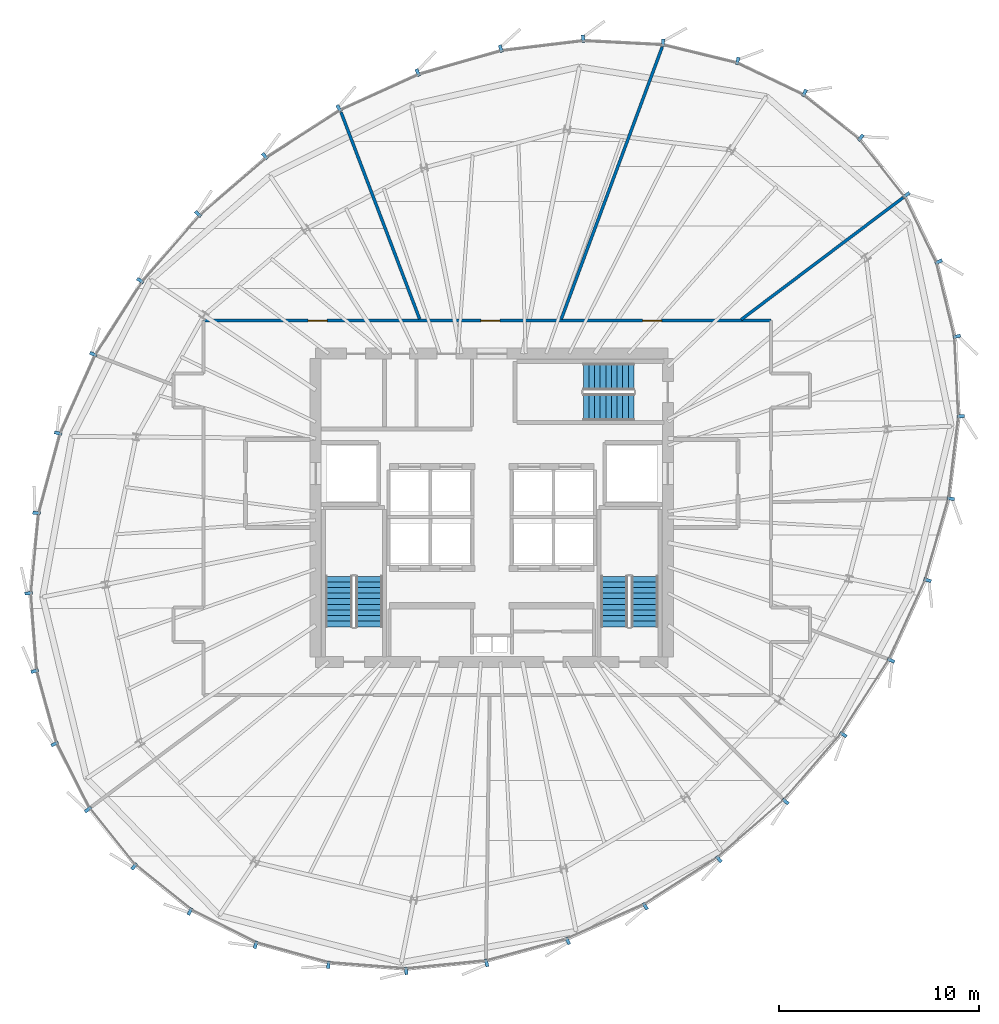
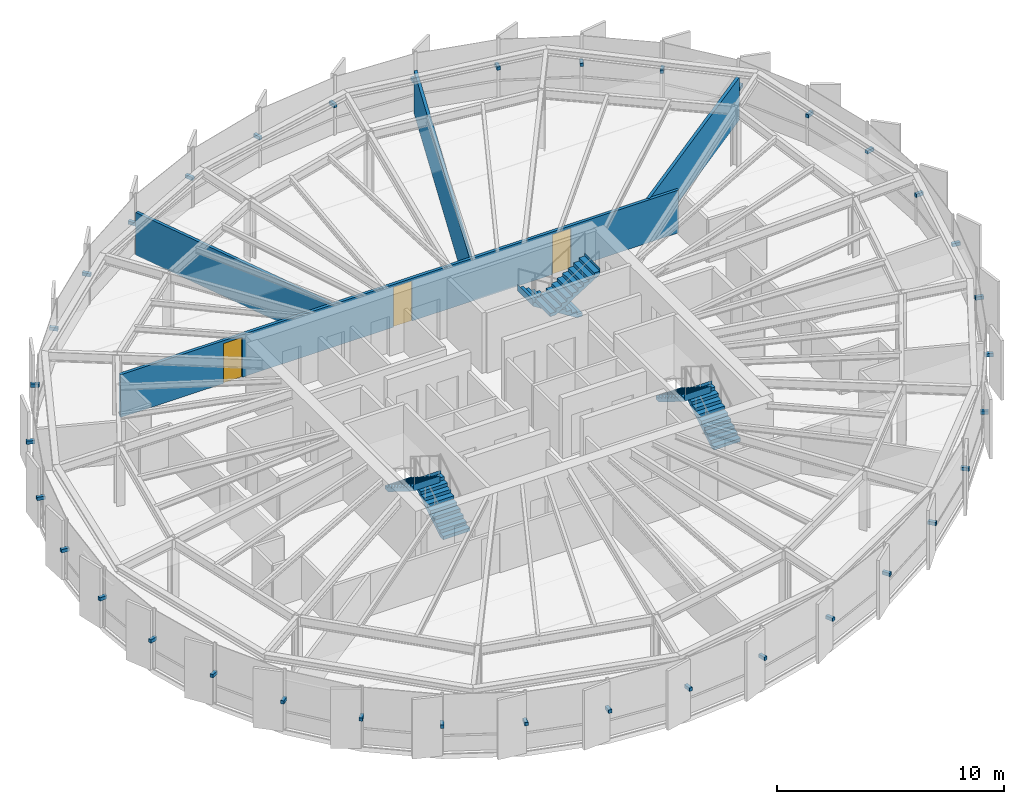
# One storey, part 31 of 34: 36 discrete accessories, 6 stair flights, 4 walls, 3 doors, 3 openings, 3 elements without a shape of their own.
"""IFC4 building model written with IfcOpenShell, lengths in metres."""

from ifc_helpers import new_model, si_unit, direction, frame, frame_2d, origin, origin_2d, place, context, subcontext, project, spatial, polyline, rectangle, outline, extrude, source, transform, mapped, material, layer, layer_set, type_object, element, fill, aggregate, save


model = new_model("IFC4")

# Units and contexts
model_context = context("Model", 3, precision=1e-05, world=origin(), true_north=direction((0.0, 1.0)))
body_context = subcontext(model_context, "Body", "Model", "MODEL_VIEW")
ifc_project = project(units=[si_unit("LENGTHUNIT", "METRE"), si_unit("AREAUNIT", "SQUARE_METRE"), si_unit("VOLUMEUNIT", "CUBIC_METRE"), si_unit("PLANEANGLEUNIT", "RADIAN"), si_unit("MASSUNIT", "GRAM", prefix="KILO"), si_unit("THERMODYNAMICTEMPERATUREUNIT", "KELVIN")], contexts=[model_context])

# Site, building, storey
site_placement = place(None, origin())
site = spatial("IfcSite", under=ifc_project, at=site_placement, CompositionType="ELEMENT")
building_placement = place(site_placement, origin())
building = spatial("IfcBuilding", under=site, at=building_placement, Name="Kethvar Cultural Tower", CompositionType="ELEMENT")
storey_placement = place(building_placement, frame((0.0, 0.0, 214.89990234375)))
storey = spatial("IfcBuildingStorey", under=building, at=storey_placement, Name="L56", CompositionType="ELEMENT", Elevation=214.89990234375)

# Wall, openings, doors
ifc_material_1 = material(Name="Gypsum Fireboard Partition")
ifc_layer_1 = layer(ifc_material_1, 0.14990234375, Name="Gypsum Fireboard Partition")
ifc_layer_set_1 = layer_set([ifc_layer_1], Name="Gypsum Fireboard Partition (150 mm)")
wall_type_1 = type_object("IfcWallType", Name="WL-FIRE-150", PredefinedType="PARTITIONING", material=ifc_layer_set_1)
wall_1_placement = place(storey_placement, frame((60.75, 37.14990234375, 0.0), z_axis=(0.0, 0.0, 1.0), x_axis=(-1.0, 0.0, 0.0)))
wall_1 = element("IfcWall", 1, at=wall_1_placement, inside=storey, type_object=wall_type_1, Name="L56 Corridor Rated Wall N", PredefinedType="PARTITIONING", context=body_context, shape_type="SweptSolid", body=[
    extrude(rectangle(XDim=28.35009765625, YDim=0.14990234375, at=frame_2d((14.175048828125, 0.0))), origin(), (0.0, 0.0, 1.0), 2.295166015625),
])
opening_1_placement = place(wall_1_placement, frame((5.460205078125, 0.0, 0.0)))
opening_1 = element("IfcOpeningElement", 2, at=opening_1_placement, cuts=wall_1, Name="Opening D-L56-06", PredefinedType="OPENING", context=body_context, shape_type="SweptSolid", body=[
    extrude(rectangle(XDim=0.949951171875, YDim=2.14990234375, at=frame_2d((0.47509765625, 1.074951171875))), frame((0.0, 0.0849609375, 0.0), z_axis=(0.0, -1.0, 0.0), x_axis=(1.0, 0.0, 0.0)), (0.0, 0.0, 1.0), 0.169921875),
])
opening_2_placement = place(wall_1_placement, frame((13.541015625, 0.0, 0.0)))
opening_2 = element("IfcOpeningElement", 3, at=opening_2_placement, cuts=wall_1, Name="Opening D-L56-07", PredefinedType="OPENING", context=body_context, shape_type="SweptSolid", body=[
    extrude(rectangle(XDim=0.949951171875, YDim=2.14990234375, at=frame_2d((0.47509765625, 1.074951171875))), frame((0.0, 0.0849609375, 0.0), z_axis=(0.0, -1.0, 0.0), x_axis=(1.0, 0.0, 0.0)), (0.0, 0.0, 1.0), 0.169921875),
])
opening_3_placement = place(wall_1_placement, frame((22.172607421875, 0.0, 0.0)))
opening_3 = element("IfcOpeningElement", 4, at=opening_3_placement, cuts=wall_1, Name="Opening D-L56-08", PredefinedType="OPENING", context=body_context, shape_type="SweptSolid", body=[
    extrude(rectangle(XDim=0.949951171875, YDim=2.14990234375, at=frame_2d((0.47509765625, 1.074951171875))), frame((0.0, 0.0849609375, 0.0), z_axis=(0.0, -1.0, 0.0), x_axis=(1.0, 0.0, 0.0)), (0.0, 0.0, 1.0), 0.169921875),
])
ifc_material_2 = material(Name="Architectural Oak Timber", Category="wood")
door_type = type_object("IfcDoorType", Name="DR-FD30-950", OperationType="NOTDEFINED", PredefinedType="DOOR", material=ifc_material_2)
shared_shape_1 = source(origin(), body_context, "Body", "SweptSolid", [
    extrude(rectangle(XDim=0.949951171875, YDim=2.14990234375, at=frame_2d((0.47509765625, 1.074951171875))), frame((0.0, 0.02490234375, 0.0), z_axis=(0.0, -1.0, 0.0), x_axis=(1.0, 0.0, 0.0)), (0.0, 0.0, 1.0), 0.050048828125),
])
door_1_placement = place(opening_1_placement, origin())
door_1 = element("IfcDoor", 5, at=door_1_placement, inside=storey, type_object=door_type, Name="L56 Sky Lobby Espresso Pantry 06 Door", OperationType="SINGLE_SWING_RIGHT", OverallHeight=2.14990234375, OverallWidth=0.949951171875, PredefinedType="DOOR", context=body_context, shape_type="MappedRepresentation", body=[
    mapped(shared_shape_1, transform((0.0, 0.0, 0.0), scale=1.0)),
])
fill(opening_1, door_1)
door_2_placement = place(opening_2_placement, origin())
door_2 = element("IfcDoor", 6, at=door_2_placement, inside=storey, type_object=door_type, Name="L56 Scholars' Servery Pantry 07 Door", OperationType="SINGLE_SWING_LEFT", OverallHeight=2.14990234375, OverallWidth=0.949951171875, PredefinedType="DOOR", context=body_context, shape_type="MappedRepresentation", body=[
    mapped(shared_shape_1, transform((0.0, 0.0, 0.0), scale=1.0)),
])
fill(opening_2, door_2)
door_3_placement = place(opening_3_placement, origin())
door_3 = element("IfcDoor", 7, at=door_3_placement, inside=storey, type_object=door_type, Name="L56 Institute Tea Pantry 08 Door", OperationType="SINGLE_SWING_RIGHT", OverallHeight=2.14990234375, OverallWidth=0.949951171875, PredefinedType="DOOR", context=body_context, shape_type="MappedRepresentation", body=[
    mapped(shared_shape_1, transform((0.0, 0.0, 0.0), scale=1.0)),
])
fill(opening_3, door_3)

# Walls
ifc_material_3 = material(Name="Gypsum Acoustic Partition")
ifc_layer_2 = layer(ifc_material_3, 0.14990234375, Name="Gypsum Acoustic Partition")
ifc_layer_set_2 = layer_set([ifc_layer_2], Name="Gypsum Acoustic Partition (150 mm)")
wall_type_2 = type_object("IfcWallType", Name="WL-PART-150", PredefinedType="PARTITIONING", material=ifc_layer_set_2)
wall_2_placement = place(storey_placement, frame((59.263427734375, 37.197998046875, 0.0), z_axis=(0.0, 0.0, 1.0), x_axis=(0.798603092388, 0.601858040428, 0.0)))
element("IfcWall", 8, at=wall_2_placement, inside=storey, type_object=wall_type_2, Name="L56 Radial Partition Wall 06", PredefinedType="PARTITIONING", context=body_context, shape_type="SweptSolid", body=[
    extrude(rectangle(XDim=10.12451171875, YDim=0.14990234375, at=frame_2d((5.062255859375, 0.0))), origin(), (0.0, 0.0, 1.0), 2.295166015625),
])
wall_3_placement = place(storey_placement, frame((50.2724609375, 37.22509765625, 0.0), z_axis=(0.0, 0.0, 1.0), x_axis=(0.347798947375, 0.93756913996, 0.0)))
element("IfcWall", 9, at=wall_3_placement, inside=storey, type_object=wall_type_2, Name="L56 Radial Partition Wall 07", PredefinedType="PARTITIONING", context=body_context, shape_type="SweptSolid", body=[
    extrude(rectangle(XDim=14.50390625, YDim=0.14990234375, at=frame_2d((7.251953125, 0.0))), origin(), (0.0, 0.0, 1.0), 2.295166015625),
])
wall_4_placement = place(storey_placement, frame((43.1962890625, 37.224853515625, 0.0), z_axis=(0.0, 0.0, 1.0), x_axis=(-0.355266006866, 0.934765245592, 0.0)))
element("IfcWall", 10, at=wall_4_placement, inside=storey, type_object=wall_type_2, Name="L56 Radial Partition Wall 08", PredefinedType="PARTITIONING", context=body_context, shape_type="SweptSolid", body=[
    extrude(rectangle(XDim=11.054443359375, YDim=0.14990234375, at=frame_2d((5.52734375, 0.0))), origin(), (0.0, 0.0, 1.0), 2.295166015625),
])

# Stair, stair flights
ifc_material_4 = material(Name="Concrete C40/50", Category="concrete")
stair_type = type_object("IfcStairType", Name="ST-DOGLEG-135", PredefinedType="HALF_TURN_STAIR", material=ifc_material_4)
stair_1_placement = place(storey_placement, origin())
stair_1 = element("IfcStair", 11, at=stair_1_placement, inside=storey, type_object=stair_type, Name="L56 Core Exit Stair 1", PredefinedType="HALF_TURN_STAIR")
stair_flight_type = type_object("IfcStairFlightType", Name="FL-STRAIGHT-135", PredefinedType="STRAIGHT", material=ifc_material_4)
stair_flight_1_placement = place(storey_placement, frame((40.675048828125, 21.85009765625, 0.0), z_axis=(0.0, 0.0, 1.0), x_axis=(0.0, 1.0, 0.0)))
stair_flight_1 = element("IfcStairFlight", 12, at=stair_flight_1_placement, type_object=stair_flight_type, Name="ST-01 flight 1", NumberOfRisers=10, NumberOfTreads=9, PredefinedType="STRAIGHT", RiserHeight=0.175, TreadLength=0.28, context=body_context, shape_type="SweptSolid", body=[
    extrude(outline(polyline([(-0.0009765625, -0.0009765625), (-0.0009765625, 0.175048828125), (0.280029296875, 0.175048828125), (0.280029296875, 0.35009765625), (0.56005859375, 0.35009765625), (0.56005859375, 0.52490234375), (0.840087890625, 0.52490234375), (0.840087890625, 0.699951171875), (1.1201171875, 0.699951171875), (1.1201171875, 0.875), (1.39990234375, 0.875), (1.39990234375, 1.050048828125), (1.679931640625, 1.050048828125), (1.679931640625, 1.22509765625), (1.9599609375, 1.22509765625), (1.9599609375, 1.39990234375), (2.239990234375, 1.39990234375), (2.239990234375, 1.574951171875), (2.52001953125, 1.574951171875), (2.52001953125, 1.75), (2.52099609375, 1.75), (2.52099609375, 1.398193359375), (0.28271484375, 0.0), (0.0, -0.0009765625), (-0.0009765625, -0.0009765625)])), frame((0.0, 0.675048828125, 0.0), z_axis=(0.0, -1.0, 0.0), x_axis=(1.0, 0.0, 0.0)), (0.0, 0.0, 1.0), 1.35009765625),
])
stair_flight_2_placement = place(storey_placement, frame((39.1650390625, 24.3701171875, 1.75), z_axis=(0.0, 0.0, 1.0), x_axis=(0.0, -1.0, 0.0)))
stair_flight_2 = element("IfcStairFlight", 13, at=stair_flight_2_placement, type_object=stair_flight_type, Name="ST-01 flight 2", NumberOfRisers=10, NumberOfTreads=9, PredefinedType="STRAIGHT", RiserHeight=0.175, TreadLength=0.28, context=body_context, shape_type="SweptSolid", body=[
    extrude(outline(polyline([(-0.0009765625, -0.0009765625), (-0.0009765625, 0.175048828125), (0.280029296875, 0.175048828125), (0.280029296875, 0.35009765625), (0.56005859375, 0.35009765625), (0.56005859375, 0.52490234375), (0.840087890625, 0.52490234375), (0.840087890625, 0.699951171875), (1.1201171875, 0.699951171875), (1.1201171875, 0.875), (1.39990234375, 0.875), (1.39990234375, 1.050048828125), (1.679931640625, 1.050048828125), (1.679931640625, 1.22509765625), (1.9599609375, 1.22509765625), (1.9599609375, 1.39990234375), (2.239990234375, 1.39990234375), (2.239990234375, 1.574951171875), (2.52001953125, 1.574951171875), (2.52001953125, 1.75), (2.52099609375, 1.75), (2.52099609375, 1.398193359375), (0.28271484375, 0.0), (0.0, -0.0009765625), (-0.0009765625, -0.0009765625)])), frame((0.0, 0.675048828125, 0.0), z_axis=(0.0, -1.0, 0.0), x_axis=(1.0, 0.0, 0.0)), (0.0, 0.0, 1.0), 1.35009765625),
])
aggregate(stair_1, [stair_flight_1, stair_flight_2])

stair_2_placement = place(storey_placement, origin())
stair_2 = element("IfcStair", 14, at=stair_2_placement, inside=storey, type_object=stair_type, Name="L56 Core Exit Stair 2", PredefinedType="HALF_TURN_STAIR")
stair_flight_3_placement = place(storey_placement, frame((54.43505859375, 21.85009765625, 0.0), z_axis=(0.0, 0.0, 1.0), x_axis=(0.0, 1.0, 0.0)))
stair_flight_3 = element("IfcStairFlight", 15, at=stair_flight_3_placement, type_object=stair_flight_type, Name="ST-02 flight 1", NumberOfRisers=10, NumberOfTreads=9, PredefinedType="STRAIGHT", RiserHeight=0.175, TreadLength=0.28, context=body_context, shape_type="SweptSolid", body=[
    extrude(outline(polyline([(-0.0009765625, -0.0009765625), (-0.0009765625, 0.175048828125), (0.280029296875, 0.175048828125), (0.280029296875, 0.35009765625), (0.56005859375, 0.35009765625), (0.56005859375, 0.52490234375), (0.840087890625, 0.52490234375), (0.840087890625, 0.699951171875), (1.1201171875, 0.699951171875), (1.1201171875, 0.875), (1.39990234375, 0.875), (1.39990234375, 1.050048828125), (1.679931640625, 1.050048828125), (1.679931640625, 1.22509765625), (1.9599609375, 1.22509765625), (1.9599609375, 1.39990234375), (2.239990234375, 1.39990234375), (2.239990234375, 1.574951171875), (2.52001953125, 1.574951171875), (2.52001953125, 1.75), (2.52099609375, 1.75), (2.52099609375, 1.398193359375), (0.28271484375, 0.0), (0.0, -0.0009765625), (-0.0009765625, -0.0009765625)])), frame((0.0, 0.675048828125, 0.0), z_axis=(0.0, -1.0, 0.0), x_axis=(1.0, 0.0, 0.0)), (0.0, 0.0, 1.0), 1.35009765625),
])
stair_flight_4_placement = place(storey_placement, frame((52.925048828125, 24.3701171875, 1.75), z_axis=(0.0, 0.0, 1.0), x_axis=(0.0, -1.0, 0.0)))
stair_flight_4 = element("IfcStairFlight", 16, at=stair_flight_4_placement, type_object=stair_flight_type, Name="ST-02 flight 2", NumberOfRisers=10, NumberOfTreads=9, PredefinedType="STRAIGHT", RiserHeight=0.175, TreadLength=0.28, context=body_context, shape_type="SweptSolid", body=[
    extrude(outline(polyline([(-0.0009765625, -0.0009765625), (-0.0009765625, 0.175048828125), (0.280029296875, 0.175048828125), (0.280029296875, 0.35009765625), (0.56005859375, 0.35009765625), (0.56005859375, 0.52490234375), (0.840087890625, 0.52490234375), (0.840087890625, 0.699951171875), (1.1201171875, 0.699951171875), (1.1201171875, 0.875), (1.39990234375, 0.875), (1.39990234375, 1.050048828125), (1.679931640625, 1.050048828125), (1.679931640625, 1.22509765625), (1.9599609375, 1.22509765625), (1.9599609375, 1.39990234375), (2.239990234375, 1.39990234375), (2.239990234375, 1.574951171875), (2.52001953125, 1.574951171875), (2.52001953125, 1.75), (2.52099609375, 1.75), (2.52099609375, 1.398193359375), (0.28271484375, 0.0), (0.0, -0.0009765625), (-0.0009765625, -0.0009765625)])), frame((0.0, 0.675048828125, 0.0), z_axis=(0.0, -1.0, 0.0), x_axis=(1.0, 0.0, 0.0)), (0.0, 0.0, 1.0), 1.35009765625),
])
aggregate(stair_2, [stair_flight_3, stair_flight_4])

stair_3_placement = place(storey_placement, origin())
stair_3 = element("IfcStair", 17, at=stair_3_placement, inside=storey, type_object=stair_type, Name="L56 Core Exit Stair 3", PredefinedType="HALF_TURN_STAIR")
stair_flight_5_placement = place(storey_placement, frame((53.89990234375, 34.3349609375, 0.0), z_axis=(0.0, 0.0, 1.0), x_axis=(-1.0, 0.0, 0.0)))
stair_flight_5 = element("IfcStairFlight", 18, at=stair_flight_5_placement, type_object=stair_flight_type, Name="ST-03 flight 1", NumberOfRisers=10, NumberOfTreads=9, PredefinedType="STRAIGHT", RiserHeight=0.175, TreadLength=0.28, context=body_context, shape_type="SweptSolid", body=[
    extrude(outline(polyline([(-0.0009765625, -0.0009765625), (-0.0009765625, 0.175048828125), (0.280029296875, 0.175048828125), (0.280029296875, 0.35009765625), (0.56005859375, 0.35009765625), (0.56005859375, 0.52490234375), (0.840087890625, 0.52490234375), (0.840087890625, 0.699951171875), (1.1201171875, 0.699951171875), (1.1201171875, 0.875), (1.39990234375, 0.875), (1.39990234375, 1.050048828125), (1.679931640625, 1.050048828125), (1.679931640625, 1.22509765625), (1.9599609375, 1.22509765625), (1.9599609375, 1.39990234375), (2.239990234375, 1.39990234375), (2.239990234375, 1.574951171875), (2.52001953125, 1.574951171875), (2.52001953125, 1.75), (2.52099609375, 1.75), (2.52099609375, 1.398193359375), (0.28271484375, 0.0), (0.0, -0.0009765625), (-0.0009765625, -0.0009765625)])), frame((0.0, 0.675048828125, 0.0), z_axis=(0.0, -1.0, 0.0), x_axis=(1.0, 0.0, 0.0)), (0.0, 0.0, 1.0), 1.35009765625),
])
stair_flight_6_placement = place(storey_placement, frame((51.3798828125, 32.824951171875, 1.75), z_axis=(0.0, 0.0, 1.0), x_axis=(1.0, 0.0, 0.0)))
stair_flight_6 = element("IfcStairFlight", 19, at=stair_flight_6_placement, type_object=stair_flight_type, Name="ST-03 flight 2", NumberOfRisers=10, NumberOfTreads=9, PredefinedType="STRAIGHT", RiserHeight=0.175, TreadLength=0.28, context=body_context, shape_type="SweptSolid", body=[
    extrude(outline(polyline([(-0.0009765625, -0.0009765625), (-0.0009765625, 0.175048828125), (0.280029296875, 0.175048828125), (0.280029296875, 0.35009765625), (0.56005859375, 0.35009765625), (0.56005859375, 0.52490234375), (0.840087890625, 0.52490234375), (0.840087890625, 0.699951171875), (1.1201171875, 0.699951171875), (1.1201171875, 0.875), (1.39990234375, 0.875), (1.39990234375, 1.050048828125), (1.679931640625, 1.050048828125), (1.679931640625, 1.22509765625), (1.9599609375, 1.22509765625), (1.9599609375, 1.39990234375), (2.239990234375, 1.39990234375), (2.239990234375, 1.574951171875), (2.52001953125, 1.574951171875), (2.52001953125, 1.75), (2.52099609375, 1.75), (2.52099609375, 1.398193359375), (0.28271484375, 0.0), (0.0, -0.0009765625), (-0.0009765625, -0.0009765625)])), frame((0.0, 0.675048828125, 0.0), z_axis=(0.0, -1.0, 0.0), x_axis=(1.0, 0.0, 0.0)), (0.0, 0.0, 1.0), 1.35009765625),
])
aggregate(stair_3, [stair_flight_5, stair_flight_6])

# Discrete accessories
ifc_material_5 = material(Name="Steel S355J2", Category="steel")
discrete_accessory_type = type_object("IfcDiscreteAccessoryType", Name="Steel Fin Bracket BRK-01", PredefinedType="BRACKET", material=ifc_material_5)
shared_shape_2 = source(origin(), body_context, "Body", "SweptSolid", [
    extrude(rectangle(XDim=0.3798828125, YDim=0.159912109375, at=origin_2d()), origin(), (0.0, 0.0, 1.0), 0.179931640625),
])
for number, where, z_axis, x_axis, name in (
    (20, (65.236083984375, 46.29248046875, 1.5302734375), (0.0, 0.0, 1.0), (0.62169475011, 0.783259623423, 0.0), "L56 Terracotta Fin Bracket 1.1"),
    (21, (62.42431640625, 48.523681640625, 1.5302734375), (0.0, 0.0, 1.0), (0.43287258152, 0.901455117112, 0.0), "L56 Terracotta Fin Bracket 1.2"),
    (22, (59.0849609375, 50.126953125, 1.5302734375), (0.0, 0.0, 1.0), (0.237346815507, 0.971424978662, 0.0), "L56 Terracotta Fin Bracket 1.3"),
    (23, (55.35791015625, 51.037109375, 1.5302734375), (0.0, 0.0, 1.0), (0.050418629896, 0.998728172107, 0.0), "L56 Terracotta Fin Bracket 1.4"),
    (24, (51.3681640625, 51.23828125, 1.5302734375), (0.0, 0.0, 1.0), (-0.120656628871, 0.992694302346, 0.0), "L56 Terracotta Fin Bracket 1.5"),
    (25, (47.24951171875, 50.7373046875, 1.5302734375), (0.0, 0.0, 1.0), (-0.275134002609, 0.961405887546, 0.0), "L56 Terracotta Fin Bracket 1.6"),
    (26, (43.103515625, 49.544677734375, 1.5302734375), (0.0, 0.0, 1.0), (-0.414534418138, 0.910033634641, 0.0), "L56 Terracotta Fin Bracket 2.1"),
    (27, (39.168701171875, 47.752685546875, 1.5302734375), (0.0, 0.0, 1.0), (-0.54082767413, 0.841133418011, 0.0), "L56 Terracotta Fin Bracket 2.2"),
    (28, (35.4609375, 45.368896484375, 1.5302734375), (0.0, 0.0, 1.0), (-0.654872725061, 0.755739183826, 0.0), "L56 Terracotta Fin Bracket 2.3"),
    (29, (32.122802734375, 42.476318359375, 1.5302734375), (0.0, 0.0, 1.0), (-0.755853469168, 0.654740813717, 0.0), "L56 Terracotta Fin Bracket 2.4"),
    (30, (29.2373046875, 39.14501953125, 1.5302734375), (0.0, 0.0, 1.0), (-0.842358350935, 0.538917812481, 0.0), "L56 Terracotta Fin Bracket 2.5"),
    (31, (26.88525390625, 35.46875, 1.5302734375), (0.0, 0.0, 1.0), (-0.912976655837, 0.408011796273, 0.0), "L56 Terracotta Fin Bracket 2.6"),
    (32, (25.12841796875, 31.52197265625, 1.5302734375), (0.0, 0.0, 1.0), (-0.965290529158, 0.261178472154, 0.0), "L56 Terracotta Fin Bracket 3.1"),
    (33, (24.0498046875, 27.5361328125, 1.5302734375), (0.0, 0.0, 1.0), (-0.995124665732, 0.098625045759, 0.0), "L56 Terracotta Fin Bracket 3.2"),
    (34, (23.65234375, 23.5205078125, 1.5302734375), (0.0, 0.0, 1.0), (-0.996917333733, -0.078459095728, 0.0), "L56 Terracotta Fin Bracket 3.3"),
    (35, (23.9580078125, 19.635009765625, 1.5302734375), (0.0, 0.0, 1.0), (-0.96423431693, -0.265051281935, 0.0), "L56 Terracotta Fin Bracket 3.4"),
    (36, (24.9580078125, 15.997314453125, 1.5302734375), (0.0, 0.0, 1.0), (-0.891797529605, -0.452434709312, 0.0), "L56 Terracotta Fin Bracket 3.5"),
    (37, (26.621826171875, 12.718017578125, 1.5302734375), (0.0, 0.0, 1.0), (-0.778133536444, -0.628098877137, 0.0), "L56 Terracotta Fin Bracket 3.6"),
    (38, (28.92919921875, 9.872802734375, 1.5302734375), (0.0, 0.0, 1.0), (-0.628098877137, -0.778133536444, 0.0), "L56 Terracotta Fin Bracket 4.1"),
    (39, (31.719970703125, 7.62060546875, 1.5302734375), (0.0, 0.0, 1.0), (-0.452434709312, -0.891797529605, 0.0), "L56 Terracotta Fin Bracket 4.2"),
    (40, (34.9990234375, 5.95751953125, 1.5302734375), (0.0, 0.0, 1.0), (-0.265051281935, -0.96423431693, 0.0), "L56 Terracotta Fin Bracket 4.3"),
    (41, (38.63671875, 4.957763671875, 1.5302734375), (0.0, 0.0, 1.0), (-0.078459095728, -0.996917333733, 0.0), "L56 Terracotta Fin Bracket 4.4"),
    (42, (42.522216796875, 4.65234375, 1.5302734375), (0.0, 0.0, 1.0), (0.098625045759, -0.995124665732, 0.0), "L56 Terracotta Fin Bracket 4.5"),
    (43, (46.537841796875, 5.050048828125, 1.5302734375), (0.0, 0.0, 1.0), (0.261178472154, -0.965290529158, 0.0), "L56 Terracotta Fin Bracket 4.6"),
    (44, (50.5966796875, 6.15478515625, 1.5302734375), (0.0, 0.0, 1.0), (0.408011796273, -0.912976655837, 0.0), "L56 Terracotta Fin Bracket 5.1"),
    (45, (54.47021484375, 7.885986328125, 1.5302734375), (0.0, 0.0, 1.0), (0.538917812481, -0.842358350935, 0.0), "L56 Terracotta Fin Bracket 5.2"),
    (46, (58.14599609375, 10.238037109375, 1.5302734375), (0.0, 0.0, 1.0), (0.654740813717, -0.755853469168, 0.0), "L56 Terracotta Fin Bracket 5.3"),
    (47, (61.477294921875, 13.123779296875, 1.5302734375), (0.0, 0.0, 1.0), (0.755739183826, -0.654872725061, 0.0), "L56 Terracotta Fin Bracket 5.4"),
    (48, (64.369873046875, 16.462158203125, 1.5302734375), (0.0, 0.0, 1.0), (0.841133418011, -0.54082767413, 0.0), "L56 Terracotta Fin Bracket 5.5"),
    (49, (66.75341796875, 20.169921875, 1.5302734375), (0.0, 0.0, 1.0), (0.910033634641, -0.414534418138, 0.0), "L56 Terracotta Fin Bracket 5.6"),
    (50, (68.572265625, 24.177978515625, 1.5302734375), (0.0, 0.0, 1.0), (0.961405887546, -0.275134002609, 0.0), "L56 Terracotta Fin Bracket 6.1"),
    (51, (69.737548828125, 28.251220703125, 1.5302734375), (0.0, 0.0, 1.0), (0.992694302346, -0.120656628871, 0.0), "L56 Terracotta Fin Bracket 6.2"),
    (52, (70.23828125, 32.369873046875, 1.5302734375), (0.0, 0.0, 1.0), (0.998728172107, 0.050418629896, 0.0), "L56 Terracotta Fin Bracket 6.3"),
    (53, (70.036865234375, 36.359619140625, 1.5302734375), (0.0, 0.0, 1.0), (0.971424978662, 0.237346815507, 0.0), "L56 Terracotta Fin Bracket 6.4"),
    (54, (69.126220703125, 40.0869140625, 1.5302734375), (0.0, 0.0, 1.0), (0.901455117112, 0.43287258152, 0.0), "L56 Terracotta Fin Bracket 6.5"),
    (55, (67.522705078125, 43.42626953125, 1.5302734375), (0.0, 0.0, 1.0), (0.783259623423, 0.62169475011, 0.0), "L56 Terracotta Fin Bracket 6.6"),
):
    element("IfcDiscreteAccessory", number, at=place(storey_placement, frame(where, z_axis=z_axis, x_axis=x_axis)), inside=storey, type_object=discrete_accessory_type, Name=name, PredefinedType="BRACKET", context=body_context, shape_type="MappedRepresentation", body=[
        mapped(shared_shape_2, transform((0.0, 0.0, 0.0), scale=1.0)),
    ])

save(model, "model.ifc")
